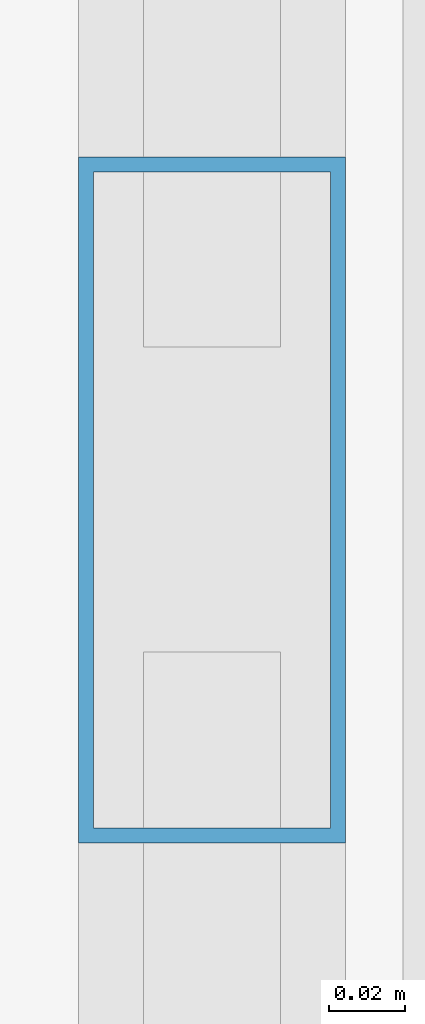
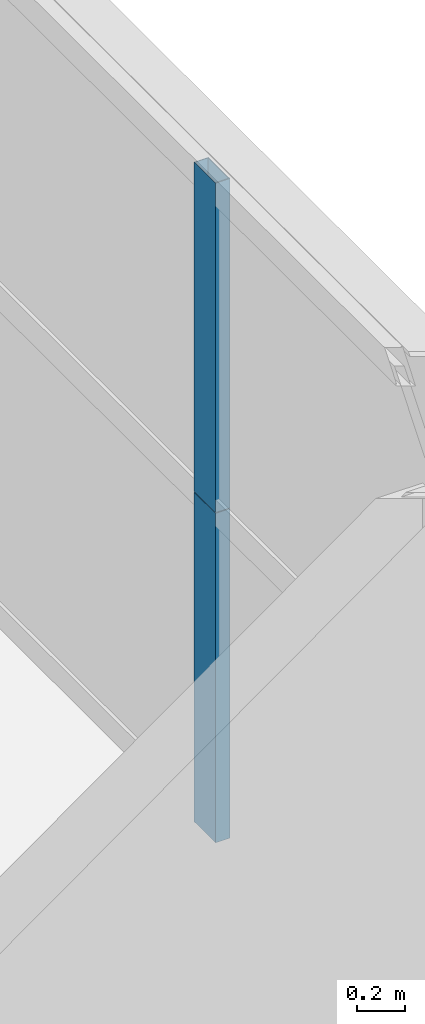
# One storey, part 31 of 43: 2 members, 1 element without a shape of its own.
"""IFC4 building model written with IfcOpenShell, lengths in metres."""

from ifc_helpers import new_model, si_unit, direction, frame, origin, origin_2d, place, context, subcontext, project, spatial, hollow_rectangle, extrude, source, transform, mapped, material, layer, layer_set, material_profile, profile_set, type_object, element, aggregate, save


model = new_model("IFC4")

# Units and contexts
model_context = context("Model", 3, precision=1e-05, world=origin(), true_north=direction((0.0, 1.0)))
body_context = subcontext(model_context, "Body", "Model", "MODEL_VIEW")
ifc_project = project(units=[si_unit("LENGTHUNIT", "METRE"), si_unit("AREAUNIT", "SQUARE_METRE"), si_unit("VOLUMEUNIT", "CUBIC_METRE"), si_unit("PLANEANGLEUNIT", "RADIAN"), si_unit("MASSUNIT", "GRAM", prefix="KILO"), si_unit("THERMODYNAMICTEMPERATUREUNIT", "KELVIN"), si_unit("POWERUNIT", "WATT")], contexts=[model_context])

# Site, building, storey
site_placement = place(None, origin())
site = spatial("IfcSite", under=ifc_project, at=site_placement, CompositionType="ELEMENT")
building_placement = place(site_placement, origin())
building = spatial("IfcBuilding", under=site, at=building_placement, Name="Yuzanri Waterfront Tower", CompositionType="ELEMENT")
storey_placement = place(building_placement, frame((0.0, 0.0, 93.800048828125)))
storey = spatial("IfcBuildingStorey", under=building, at=storey_placement, Name="L24", CompositionType="ELEMENT", Elevation=93.800048828125)

# Curtain wall, members
ifc_material_1 = material(Name="Anodized Architectural Bronze", Category="metal")
ifc_layer = layer(ifc_material_1, 0.159912109375)
ifc_layer_set = layer_set([ifc_layer], Name="Anodized Architectural Bronze")
curtain_wall_type = type_object("IfcCurtainWallType", Name="Anodized Bronze Hotel Upper-Tier Solar-Control Unitized Curtain Wall 7800", PredefinedType="NOTDEFINED", material=ifc_layer_set)
curtain_wall_placement = place(storey_placement, origin())
curtain_wall = element("IfcCurtainWall", 1, at=curtain_wall_placement, inside=storey, type_object=curtain_wall_type, Name="L24 Curtain Wall CW-L24-ER", PredefinedType="NOTDEFINED")
ifc_material_2 = material(Name="Anodized Architectural Bronze", Category="metal")
ifc_material_profile = material_profile(ifc_material_2, hollow_rectangle(XDim=0.070068359375, YDim=0.179931640625, WallThickness=0.00390625, at=origin_2d()), Name="CWM 70x180")
ifc_profile_set = profile_set([ifc_material_profile], Name="Anodized Architectural Bronze")
member_type = type_object("IfcMemberType", Name="Anodized Bronze Standard Curtain-Wall Mullion 70x180", PredefinedType="MULLION", material=ifc_profile_set)
shared_shape = source(origin(), body_context, "Body", "SweptSolid", [
    extrude(hollow_rectangle(XDim=0.070068359375, YDim=0.179931640625, WallThickness=0.00390625, at=origin_2d()), origin(), (0.0, 0.0, 1.0), 1.68798828125),
])
member_1_placement = place(storey_placement, frame((60.449951171875, 34.14990234375, 0.0), z_axis=(0.0, 0.0, 1.0), x_axis=(1.0, 0.0, 0.0)))
member_1 = element("IfcMember", 2, at=member_1_placement, type_object=member_type, Name="CW-L24-ER Lower Mullion 01", PredefinedType="MULLION", context=body_context, shape_type="MappedRepresentation", body=[
    mapped(shared_shape, transform((0.0, 0.0, 0.0), scale=1.0)),
])
member_2_placement = place(storey_placement, frame((60.449951171875, 34.14990234375, 1.69189453125), z_axis=(0.0, 0.0, 1.0), x_axis=(1.0, 0.0, 0.0)))
member_2 = element("IfcMember", 3, at=member_2_placement, type_object=member_type, Name="CW-L24-ER Upper Mullion 01", PredefinedType="MULLION", context=body_context, shape_type="MappedRepresentation", body=[
    mapped(shared_shape, transform((0.0, 0.0, 0.0), scale=1.0)),
])
aggregate(curtain_wall, [member_1, member_2])

save(model, "model.ifc")
